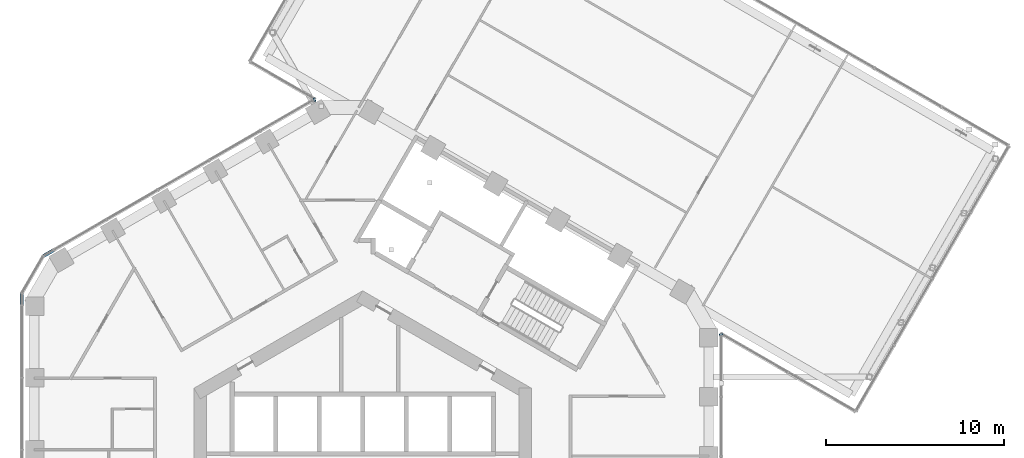
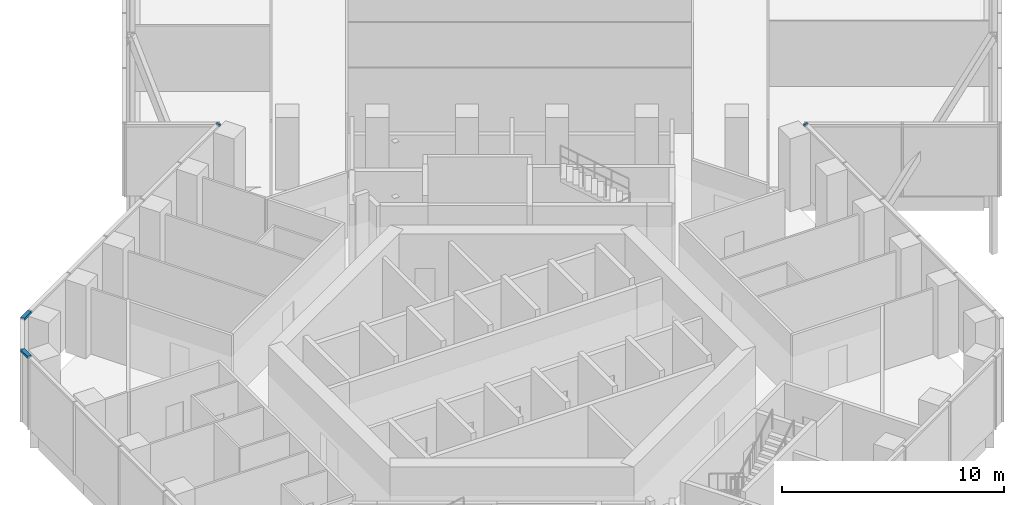
# One storey, part 11 of 25: 4 members, 3 elements without a shape of their own.
"""IFC4 building model written with IfcOpenShell, lengths in metres."""

from ifc_helpers import new_model, si_unit, direction, frame, origin, origin_2d, place, context, subcontext, project, spatial, rectangle, extrude, material, layer, layer_set, material_profile, profile_set, type_object, element, aggregate, save


model = new_model("IFC4")

# Units and contexts
model_context = context("Model", 3, precision=1e-05, world=origin(), true_north=direction((0.0, 1.0)))
body_context = subcontext(model_context, "Body", "Model", "MODEL_VIEW")
ifc_project = project(units=[si_unit("LENGTHUNIT", "METRE"), si_unit("AREAUNIT", "SQUARE_METRE"), si_unit("VOLUMEUNIT", "CUBIC_METRE"), si_unit("PLANEANGLEUNIT", "RADIAN"), si_unit("MASSUNIT", "GRAM", prefix="KILO")], contexts=[model_context])

# Site, building, storey
site_placement = place(None, origin())
site = spatial("IfcSite", under=ifc_project, at=site_placement, CompositionType="ELEMENT")
building_placement = place(site_placement, origin())
building = spatial("IfcBuilding", under=site, at=building_placement, Name="Ayvan Gate Tower", CompositionType="ELEMENT")
storey_placement = place(building_placement, frame((0.0, 0.0, 139.89990234375)))
storey = spatial("IfcBuildingStorey", under=building, at=storey_placement, Name="L37", CompositionType="ELEMENT", Elevation=139.89990234375)

# Curtain wall, members
ifc_material = material(Name="Bronze anodised aluminium", Category="aluminium")
ifc_layer = layer(ifc_material, 0.199951171875)
ifc_layer_set = layer_set([ifc_layer], Name="Bronze anodised aluminium")
curtain_wall_type = type_object("IfcCurtainWallType", Name="Stick curtain wall CW-6", PredefinedType="NOTDEFINED", material=ifc_layer_set)
curtain_wall_1_placement = place(storey_placement, origin())
curtain_wall_1 = element("IfcCurtainWall", 1, at=curtain_wall_1_placement, inside=storey, type_object=curtain_wall_type, Name="Stick curtain wall CW-6 L37", PredefinedType="NOTDEFINED")
ifc_material_profile = material_profile(ifc_material, rectangle(XDim=0.199951171875, YDim=0.1201171875, at=origin_2d()), Name="Stick curtain wall CW-6 transom 200 x 120")
ifc_profile_set = profile_set([ifc_material_profile], Name="Bronze anodised aluminium")
member_type = type_object("IfcMemberType", Name="Stick curtain wall CW-6 transom 200 x 120", PredefinedType="USERDEFINED", material=ifc_profile_set)
member_1_placement = place(storey_placement, frame((-17.423828125, 13.24853515625, 3.940185546875), z_axis=(-0.866022959057, -0.500004234368, 0.0), x_axis=(0.500004234368, -0.866022959057, 0.0)))
member_1 = element("IfcMember", 2, at=member_1_placement, type_object=member_type, Name="CW-6 transom 1", ObjectType="TRANSOM", PredefinedType="USERDEFINED", context=body_context, shape_type="SweptSolid", body=[
    extrude(rectangle(XDim=0.199951171875, YDim=0.1201171875, at=origin_2d()), origin(), (0.0, 0.0, 1.0), 0.625),
])
member_2_placement = place(storey_placement, frame((-19.194091796875, 10.8076171875, 3.940185546875), z_axis=(0.0, -1.0, 0.0), x_axis=(1.0, 0.0, 0.0)))
member_2 = element("IfcMember", 3, at=member_2_placement, type_object=member_type, Name="CW-6 transom 3", ObjectType="TRANSOM", PredefinedType="USERDEFINED", context=body_context, shape_type="SweptSolid", body=[
    extrude(rectangle(XDim=0.199951171875, YDim=0.1201171875, at=origin_2d()), origin(), (0.0, 0.0, 1.0), 0.625),
])
aggregate(curtain_wall_1, [member_1, member_2])

# Curtain wall, member
curtain_wall_2_placement = place(storey_placement, origin())
curtain_wall_2 = element("IfcCurtainWall", 4, at=curtain_wall_2_placement, inside=storey, type_object=curtain_wall_type, Name="Stick curtain wall CW-6 L37", PredefinedType="NOTDEFINED")
member_3_placement = place(storey_placement, frame((20.185546875, 8.46533203125, 3.940185546875), z_axis=(-0.258121640407, 0.966112425525, 0.0), x_axis=(-0.966112425525, -0.258121640407, 0.0)))
member_3 = element("IfcMember", 5, at=member_3_placement, type_object=member_type, Name="CW-6 transom 1", ObjectType="TRANSOM", PredefinedType="USERDEFINED", context=body_context, shape_type="SweptSolid", body=[
    extrude(rectangle(XDim=0.199951171875, YDim=0.1201171875, at=origin_2d()), origin(), (0.0, 0.0, 1.0), 0.099365234375),
])
aggregate(curtain_wall_2, [member_3])

curtain_wall_3_placement = place(storey_placement, origin())
curtain_wall_3 = element("IfcCurtainWall", 6, at=curtain_wall_3_placement, inside=storey, type_object=curtain_wall_type, Name="Stick curtain wall CW-6 L37", PredefinedType="NOTDEFINED")
member_4_placement = place(storey_placement, frame((-2.665771484375, 21.739501953125, 3.940185546875), z_axis=(-0.966112425525, -0.258121640407, 0.0), x_axis=(0.258121640407, -0.966112425525, 0.0)))
member_4 = element("IfcMember", 7, at=member_4_placement, type_object=member_type, Name="CW-6 transom 1", ObjectType="TRANSOM", PredefinedType="USERDEFINED", context=body_context, shape_type="SweptSolid", body=[
    extrude(rectangle(XDim=0.199951171875, YDim=0.1201171875, at=origin_2d()), origin(), (0.0, 0.0, 1.0), 0.099365234375),
])
aggregate(curtain_wall_3, [member_4])

save(model, "model.ifc")
